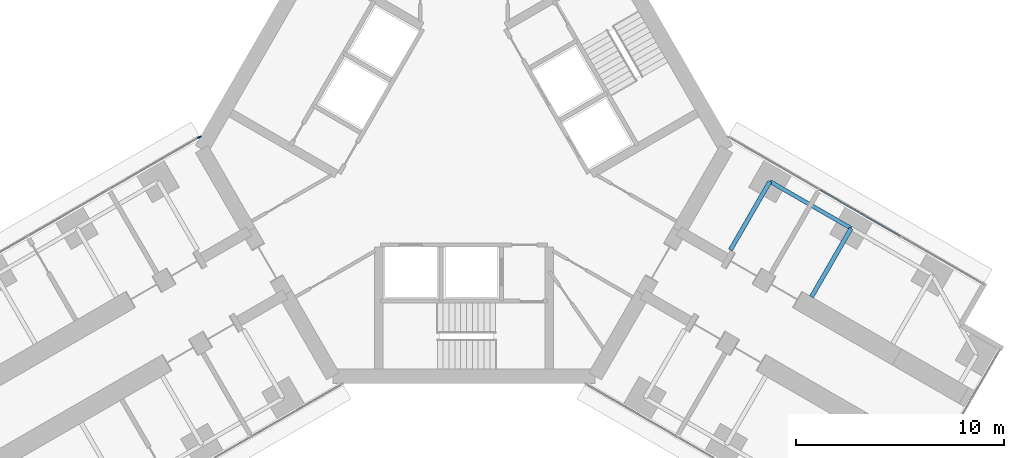
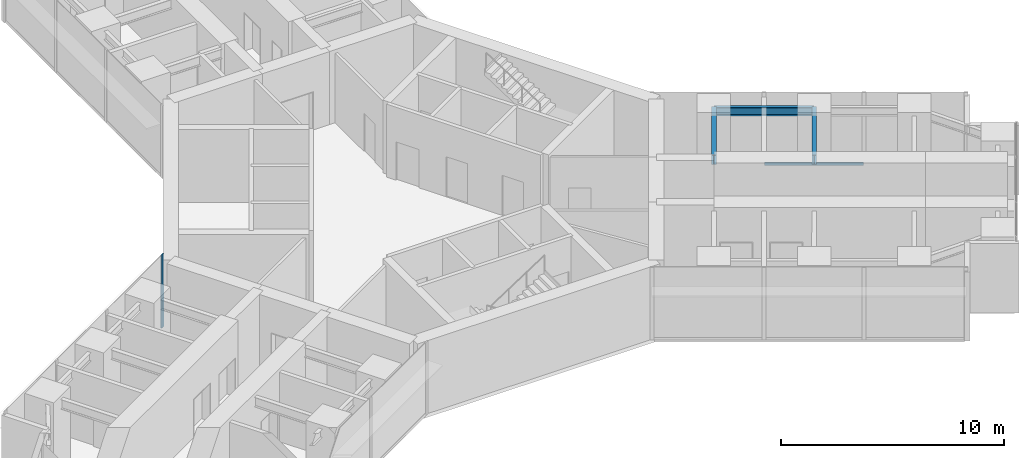
# One storey, part 10 of 22: 3 beams, 2 members, 2 elements without a shape of their own.
"""IFC4 building model written with IfcOpenShell, lengths in metres."""

import ifcopenshell
import ifcopenshell.guid

model = None  # the IFC model being written
_history = None  # IfcOwnerHistory: only IFC2X3 demands one
_inside = {}  # id of a spatial element -> (the spatial element, [elements in it])
_under = {}  # id of a project, library or spatial element -> (it, [spatial elements below it])
_declared = {}  # id of a project -> (the project, [libraries it declares])
_typed = {}  # id of a type object -> (the type object, [elements of that type])
_made_of = {}  # id of a material, layer set ... -> (it, [elements and type objects made of it])


def new_model(schema):
    """Start an empty IFC model of exactly this schema.

    Asked for "IFC4X3", IfcOpenShell would pick the latest addendum, in which some entities
    have other attributes; the version numbers below select the first issue.
    IFC2X3 requires an IfcOwnerHistory on every rooted entity: one is made here for all.
    """
    global model, _history
    if schema == "IFC4X3":
        model = ifcopenshell.file(schema_version=(4, 3, 0, 0))
    else:
        model = ifcopenshell.file(schema=schema)
    _inside.clear()
    _under.clear()
    _declared.clear()
    _typed.clear()
    _made_of.clear()
    _history = None
    if model.schema == "IFC2X3":
        org = make("IfcOrganization", Name="unknown")
        user = make(
            "IfcPersonAndOrganization",
            ThePerson=make("IfcPerson", FamilyName="unknown"),
            TheOrganization=org,
        )
        app = make(
            "IfcApplication",
            ApplicationDeveloper=org,
            Version="unknown",
            ApplicationFullName="unknown",
            ApplicationIdentifier="unknown",
        )
        _history = make(
            "IfcOwnerHistory",
            OwningUser=user,
            OwningApplication=app,
            ChangeAction="ADDED",
            CreationDate=0,
        )
    return model


def make(cls, **values):
    """One entity of the class cls with the attributes given. An attribute that is None is left unset."""
    return model.create_entity(
        cls, **{name: value for name, value in values.items() if value is not None}
    )


def rooted(cls, **values):
    """An entity with a GlobalId (a new one), such as an element, a storey or a relation."""
    return make(cls, GlobalId=ifcopenshell.guid.new(), OwnerHistory=_history, **values)


def si_unit(unit_type, name, prefix=None):
    """IfcSIUnit, for example si_unit("LENGTHUNIT", "METRE", prefix="MILLI")."""
    return make("IfcSIUnit", UnitType=unit_type, Prefix=prefix, Name=name)


def assignment(units):
    """IfcUnitAssignment: the units of a project."""
    return None if units is None else make("IfcUnitAssignment", Units=units)


def point(xyz):
    """IfcCartesianPoint."""
    return None if xyz is None else make("IfcCartesianPoint", Coordinates=xyz)


def direction(xyz):
    """IfcDirection."""
    return None if xyz is None else make("IfcDirection", DirectionRatios=xyz)


def frame(location, z_axis=None, x_axis=None):
    """IfcAxis2Placement3D, a coordinate frame: its origin and axes. An axis left out is left unset."""
    return make(
        "IfcAxis2Placement3D",
        Location=point(location),
        Axis=direction(z_axis),
        RefDirection=direction(x_axis),
    )


def frame_2d(location, x_axis=None):
    """IfcAxis2Placement2D, a coordinate frame in the plane: its origin and x axis."""
    return make(
        "IfcAxis2Placement2D", Location=point(location), RefDirection=direction(x_axis)
    )


def origin():
    """The frame at (0, 0, 0) with its axes left unset."""
    return frame((0.0, 0.0, 0.0))


def origin_2d():
    """The frame at (0, 0) in the plane with its x axis left unset."""
    return frame_2d((0.0, 0.0))


def place(relative_to, where):
    """IfcLocalPlacement: puts the frame where relative to a parent placement (None: the world)."""
    return make(
        "IfcLocalPlacement", PlacementRelTo=relative_to, RelativePlacement=where
    )


def context(
    kind, dimensions, precision=None, world=None, true_north=None, identifier=None
):
    """IfcGeometricRepresentationContext, for example the 3D "Model" context."""
    return make(
        "IfcGeometricRepresentationContext",
        ContextIdentifier=identifier,
        ContextType=kind,
        CoordinateSpaceDimension=dimensions,
        Precision=precision,
        WorldCoordinateSystem=world,
        TrueNorth=true_north,
    )


def subcontext(parent, identifier, kind, view, scale=None):
    """IfcGeometricRepresentationSubContext, for example "Body" below "Model"."""
    return make(
        "IfcGeometricRepresentationSubContext",
        ContextIdentifier=identifier,
        ContextType=kind,
        ParentContext=parent,
        TargetScale=scale,
        TargetView=view,
    )


def project(units=None, contexts=None):
    """IfcProject with its units and contexts."""
    return rooted(
        "IfcProject",
        Name="project",
        RepresentationContexts=contexts,
        UnitsInContext=assignment(units),
    )


def spatial(cls, under=None, at=None, **own):
    """A site, building, storey or space (cls), placed at a placement, below another one or the project."""
    s = rooted(cls, ObjectPlacement=at, **own)
    if under is not None:
        _under.setdefault(under.id(), (under, []))[1].append(s)
    return s


def profile(cls, at=None, kind="AREA", **sizes):
    """A parametric profile (cls). Its sizes go by their IFC names, for example OverallWidth=200.0."""
    return make(cls, ProfileType=kind, Position=at, **sizes)


def rectangle(**sizes):
    """IfcRectangleProfileDef."""
    return profile("IfcRectangleProfileDef", **sizes)


def i_section(**sizes):
    """IfcIShapeProfileDef."""
    return profile("IfcIShapeProfileDef", **sizes)


def extrude(swept, where, along, depth):
    """IfcExtrudedAreaSolid: the profile swept, set in the frame where, extruded along a direction by depth."""
    return make(
        "IfcExtrudedAreaSolid",
        SweptArea=swept,
        Position=where,
        ExtrudedDirection=direction(along),
        Depth=depth,
    )


def shape(context_of_items, identifier, shape_type, items):
    """IfcShapeRepresentation: the items that make up one representation, for example the "Body"."""
    return make(
        "IfcShapeRepresentation",
        ContextOfItems=context_of_items,
        RepresentationIdentifier=identifier,
        RepresentationType=shape_type,
        Items=items,
    )


def material(Name=None, Category=None):
    """IfcMaterial."""
    return make("IfcMaterial", Name=Name, Category=Category)


def material_profile(
    of_material, cross_section, Name=None, Category=None, Priority=None
):
    """IfcMaterialProfile: a cross section and its material."""
    return make(
        "IfcMaterialProfile",
        Name=Name,
        Material=of_material,
        Profile=cross_section,
        Priority=Priority,
        Category=Category,
    )


def profile_set(profiles, Name=None, composite=None):
    """IfcMaterialProfileSet."""
    return make(
        "IfcMaterialProfileSet",
        Name=Name,
        MaterialProfiles=profiles,
        CompositeProfile=composite,
    )


def made_of(thing, what):
    """Note that an element or type object is made of a material, layer set ...; save() writes the relation."""
    if what is not None:
        _made_of.setdefault(what.id(), (what, []))[1].append(thing)
    return thing


def type_object(cls, material=None, **own):
    """A type object (cls), such as IfcWallType, which elements share."""
    return made_of(rooted(cls, **own), material)


def element(
    cls,
    number,
    at=None,
    inside=None,
    cuts=None,
    type_object=None,
    material=None,
    context=None,
    identifier="Body",
    shape_type=None,
    held_by="IfcProductDefinitionShape",
    body=None,
    shapes=None,
    **own,
):
    """One element of the class cls, such as IfcWall. Its Tag is "e" and its number.

    at: its placement. inside: the storey or other place that contains it. cuts: it is an
    opening in that element (IfcRelVoidsElement). A single representation is given by context,
    identifier, shape_type and body (its items); several are given by shapes. held_by: the class
    of the entity that holds the representations. save() writes the other relations.
    """
    e = rooted(cls, Tag="e%d" % number, ObjectPlacement=at, **own)
    if body is not None:
        shapes = [shape(context, identifier, shape_type, body)]
    if shapes is not None:
        e.Representation = make(held_by, Representations=shapes)
    if inside is not None:
        _inside.setdefault(inside.id(), (inside, []))[1].append(e)
    if cuts is not None:
        rooted(
            "IfcRelVoidsElement", RelatingBuildingElement=cuts, RelatedOpeningElement=e
        )
    if type_object is not None:
        _typed.setdefault(type_object.id(), (type_object, []))[1].append(e)
    return made_of(e, material)


def aggregate(whole, parts):
    """IfcRelAggregates: a whole, such as a stair, and the parts it consists of."""
    return rooted("IfcRelAggregates", RelatingObject=whole, RelatedObjects=parts)


def save(model, path):
    """Write the relations noted so far, then the file.

    IfcRelAggregates (storeys below a building ...), IfcRelContainedInSpatialStructure (elements
    in a storey), IfcRelDefinesByType, IfcRelAssociatesMaterial and IfcRelDeclares: one each for
    every whole, place, type object, material and project.
    """
    for whole, parts in _under.values():
        aggregate(whole, parts)
    for where, things in _inside.values():
        rooted(
            "IfcRelContainedInSpatialStructure",
            RelatedElements=things,
            RelatingStructure=where,
        )
    for kind, things in _typed.values():
        rooted("IfcRelDefinesByType", RelatedObjects=things, RelatingType=kind)
    for what, things in _made_of.values():
        rooted("IfcRelAssociatesMaterial", RelatedObjects=things, RelatingMaterial=what)
    for by, libraries in _declared.values():
        rooted("IfcRelDeclares", RelatingContext=by, RelatedDefinitions=libraries)
    model.write(path)


model = new_model("IFC4")

# Units and contexts
model_context = context("Model", 3, precision=1e-05, world=origin(), true_north=direction((0.0, 1.0)))
body_context = subcontext(model_context, "Body", "Model", "MODEL_VIEW")
ifc_project = project(units=[si_unit("LENGTHUNIT", "METRE"), si_unit("AREAUNIT", "SQUARE_METRE"), si_unit("VOLUMEUNIT", "CUBIC_METRE"), si_unit("PLANEANGLEUNIT", "RADIAN"), si_unit("MASSUNIT", "GRAM", prefix="KILO")], contexts=[model_context])

# Site, building, storey
site_placement = place(None, origin())
site = spatial("IfcSite", under=ifc_project, at=site_placement, CompositionType="ELEMENT")
building_placement = place(site_placement, origin())
building = spatial("IfcBuilding", under=site, at=building_placement, Name="Upepo Twin Towers", CompositionType="ELEMENT")
storey_placement = place(building_placement, frame((0.0, 0.0, 44.5)))
storey = spatial("IfcBuildingStorey", under=building, at=storey_placement, Name="L10", CompositionType="ELEMENT", Elevation=44.5)

# Beams
ifc_material_1 = material(Name="Steel S355", Category="steel")
ifc_material_profile_1 = material_profile(ifc_material_1, i_section(OverallWidth=0.1904296875, OverallDepth=0.45703125, WebThickness=0.009033203125, FlangeThickness=0.014404296875, FilletRadius=0.01025390625, at=origin_2d()), Name="UB 457x191x74")
ifc_profile_set_1 = profile_set([ifc_material_profile_1], Name="Steel S355")
beam_type_1 = type_object("IfcBeamType", Name="Beam UB 457x191x74", PredefinedType="BEAM", material=ifc_profile_set_1)
beam_1_placement = place(storey_placement, frame((73.19140625, -19.553955078125, 3.571533203125), z_axis=(0.866017533419, -0.500013631625, 0.0), x_axis=(0.500013631625, 0.866017533419, 0.0)))
element("IfcBeam", 1, at=beam_1_placement, inside=storey, type_object=beam_type_1, Name="T2 edge beam CL 13.5-18.0", PredefinedType="BEAM", context=body_context, shape_type="SweptSolid", body=[
    extrude(i_section(OverallWidth=0.1904296875, OverallDepth=0.45703125, WebThickness=0.009033203125, FlangeThickness=0.014404296875, FilletRadius=0.01025390625, at=origin_2d()), origin(), (0.0, 0.0, 1.0), 4.499755859375),
])
ifc_material_2 = material(Name="Steel S355", Category="steel")
ifc_material_profile_2 = material_profile(ifc_material_2, i_section(OverallWidth=0.209228515625, OverallDepth=0.533203125, WebThickness=0.010009765625, FlangeThickness=0.015625, FilletRadius=0.0126953125, at=origin_2d()), Name="UB 533x210x92")
ifc_profile_set_2 = profile_set([ifc_material_profile_2], Name="Steel S355")
beam_type_2 = type_object("IfcBeamType", Name="Beam UB 533x210x92", PredefinedType="BEAM", material=ifc_profile_set_2)
beam_2_placement = place(storey_placement, frame((73.19140625, -19.553955078125, 3.533447265625), z_axis=(-0.500043160704, -0.866000483506, 0.0), x_axis=(0.866000483506, -0.500043160704, 0.0)))
element("IfcBeam", 2, at=beam_2_placement, inside=storey, type_object=beam_type_2, Name="T2 girder CL at 13.5", PredefinedType="BEAM", context=body_context, shape_type="SweptSolid", body=[
    extrude(i_section(OverallWidth=0.209228515625, OverallDepth=0.533203125, WebThickness=0.010009765625, FlangeThickness=0.015625, FilletRadius=0.0126953125, at=origin_2d()), origin(), (0.0, 0.0, 1.0), 3.800048828125),
])
beam_3_placement = place(storey_placement, frame((77.08837890625, -21.803955078125, 3.533447265625), z_axis=(-0.499994975061, -0.866028304915, 0.0), x_axis=(0.866028304915, -0.499994975061, 0.0)))
element("IfcBeam", 3, at=beam_3_placement, inside=storey, type_object=beam_type_2, Name="T2 girder CL at 18.0", PredefinedType="BEAM", context=body_context, shape_type="SweptSolid", body=[
    extrude(i_section(OverallWidth=0.209228515625, OverallDepth=0.533203125, WebThickness=0.010009765625, FlangeThickness=0.015625, FilletRadius=0.0126953125, at=origin_2d()), origin(), (0.0, 0.0, 1.0), 3.7998046875),
])

# Curtain wall, member
ifc_material_3 = material(Name="Aluminium and fritted glass", Category="aluminium")
curtain_wall_type = type_object("IfcCurtainWallType", Name="Tower curtain wall TW1, fritted glass", PredefinedType="NOTDEFINED", material=ifc_material_3)
curtain_wall_1_placement = place(storey_placement, origin())
curtain_wall_1 = element("IfcCurtainWall", 4, at=curtain_wall_1_placement, inside=storey, type_object=curtain_wall_type, Name="T2 L10 wing B flank R curtain wall", PredefinedType="NOTDEFINED")
ifc_material_4 = material(Name="Aluminium mullion", Category="aluminium")
ifc_material_profile_3 = material_profile(ifc_material_4, rectangle(XDim=0.06494140625, YDim=0.179931640625, at=origin_2d()), Name="MULLION 65x180")
ifc_profile_set_3 = profile_set([ifc_material_profile_3], Name="Aluminium mullion")
member_type_1 = type_object("IfcMemberType", Name="Mullion 65x180 TW1", PredefinedType="MULLION", material=ifc_profile_set_3)
member_1_placement = place(storey_placement, frame((45.79150390625, -17.427490234375, 0.0), z_axis=(0.0, 0.0, 1.0), x_axis=(-0.500000024426, 0.866025389682, 0.0)))
member_1 = element("IfcMember", 5, at=member_1_placement, type_object=member_type_1, Name="T2 L10 wing B flank R curtain wall mullion 4", PredefinedType="MULLION", context=body_context, shape_type="SweptSolid", body=[
    extrude(rectangle(XDim=0.06494140625, YDim=0.179931640625, at=origin_2d()), origin(), (0.0, 0.0, 1.0), 4.0),
])
aggregate(curtain_wall_1, [member_1])

curtain_wall_2_placement = place(storey_placement, origin())
curtain_wall_2 = element("IfcCurtainWall", 6, at=curtain_wall_2_placement, inside=storey, type_object=curtain_wall_type, Name="T2 L10 wing C flank L curtain wall", PredefinedType="NOTDEFINED")
ifc_material_5 = material(Name="Aluminium transom", Category="aluminium")
ifc_material_profile_4 = material_profile(ifc_material_5, rectangle(XDim=0.06494140625, YDim=0.14990234375, at=origin_2d()), Name="TRANSOM 65x150")
ifc_profile_set_4 = profile_set([ifc_material_profile_4], Name="Aluminium transom")
member_type_2 = type_object("IfcMemberType", Name="Transom 65x150 TW1", PredefinedType="USERDEFINED", material=ifc_profile_set_4)
member_2_placement = place(storey_placement, frame((75.593017578125, -19.958984375, 0.074951171875), z_axis=(0.866022410713, -0.500005184116, 0.0), x_axis=(0.500005184116, 0.866022410713, 0.0)))
member_2 = element("IfcMember", 7, at=member_2_placement, type_object=member_type_2, Name="T2 L10 wing C flank L curtain wall transom 2", ObjectType="TRANSOM", PredefinedType="USERDEFINED", context=body_context, shape_type="SweptSolid", body=[
    extrude(rectangle(XDim=0.06494140625, YDim=0.14990234375, at=origin_2d()), origin(), (0.0, 0.0, 1.0), 4.43505859375),
])
aggregate(curtain_wall_2, [member_2])

save(model, "model.ifc")
